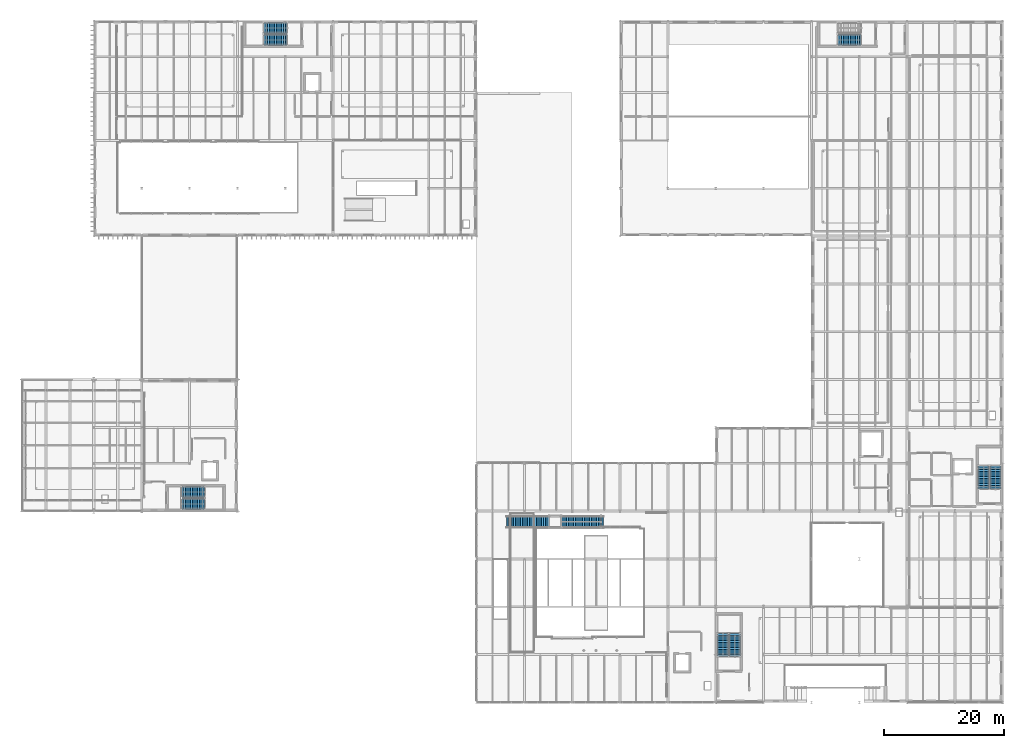
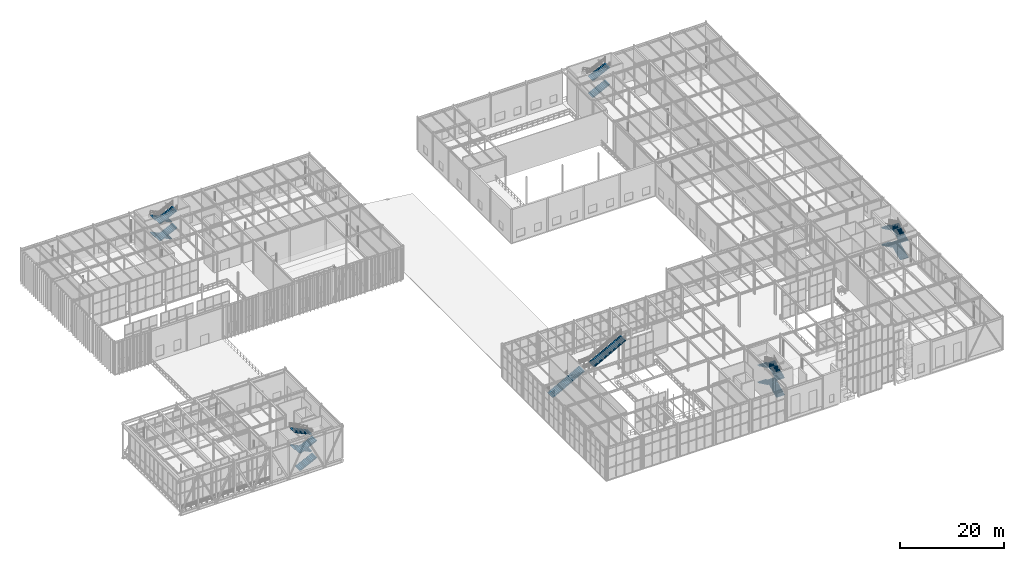
# One storey, part 100 of 138: 20 stair flights, 6 elements without a shape of their own.
"""IFC4 building model written with IfcOpenShell, lengths in metres."""

from ifc_helpers import new_model, si_unit, direction, frame, origin, place, context, subcontext, project, spatial, polyline, outline, extrude, material, type_object, element, aggregate, save


model = new_model("IFC4")

# Units and contexts
model_context = context("Model", 3, precision=1e-05, world=origin(), true_north=direction((0.0, 1.0)))
body_context = subcontext(model_context, "Body", "Model", "MODEL_VIEW")
ifc_project = project(units=[si_unit("LENGTHUNIT", "METRE"), si_unit("AREAUNIT", "SQUARE_METRE"), si_unit("VOLUMEUNIT", "CUBIC_METRE"), si_unit("PLANEANGLEUNIT", "RADIAN"), si_unit("MASSUNIT", "GRAM", prefix="KILO")], contexts=[model_context])

# Site, building, storey
site_placement = place(None, origin())
site = spatial("IfcSite", under=ifc_project, at=site_placement, CompositionType="ELEMENT")
building_placement = place(site_placement, origin())
building = spatial("IfcBuilding", under=site, at=building_placement, Name="Sundkrona Museum", CompositionType="ELEMENT")
storey_placement = place(building_placement, frame((0.0, 0.0, 9.60009765625)))
storey = spatial("IfcBuildingStorey", under=building, at=storey_placement, Name="L02", CompositionType="ELEMENT", Elevation=9.60009765625)

# Stair, stair flights
ifc_material_1 = material(Name="Concrete C35/45", Category="concrete")
stair_type_1 = type_object("IfcStairType", Name="ST-DL-800", PredefinedType="HALF_TURN_STAIR", material=ifc_material_1)
stair_1_placement = place(storey_placement, origin())
stair_1 = element("IfcStair", 1, at=stair_1_placement, inside=storey, type_object=stair_type_1, Name="L02 Protected Stair Core ST-1", PredefinedType="HALF_TURN_STAIR")
stair_flight_type_1 = type_object("IfcStairFlightType", Name="SF-180-200", PredefinedType="STRAIGHT", material=ifc_material_1)
stair_flight_1_placement = place(storey_placement, frame((166.800048828125, 35.699951171875, 0.0), z_axis=(0.0, 0.0, 1.0), x_axis=(0.0, 1.0, 0.0)))
stair_flight_1 = element("IfcStairFlight", 2, at=stair_flight_1_placement, type_object=stair_flight_type_1, Name="L02 Protected Stair Core ST-1 Flight 1", NumberOfRisers=14, NumberOfTreads=13, PredefinedType="STRAIGHT", RiserHeight=0.142857143, TreadLength=0.295, context=body_context, shape_type="SweptSolid", body=[
    extrude(outline(polyline([(0.0, 0.0), (0.0, 0.142822265625), (0.294921875, 0.142822265625), (0.294921875, 0.28564453125), (0.590087890625, 0.28564453125), (0.590087890625, 0.428466796875), (0.885009765625, 0.428466796875), (0.885009765625, 0.571533203125), (1.179931640625, 0.571533203125), (1.179931640625, 0.71435546875), (1.47509765625, 0.71435546875), (1.47509765625, 0.857177734375), (1.77001953125, 0.857177734375), (1.77001953125, 1.0), (2.06494140625, 1.0), (2.06494140625, 1.142822265625), (2.360107421875, 1.142822265625), (2.360107421875, 1.28564453125), (2.655029296875, 1.28564453125), (2.655029296875, 1.428466796875), (2.949951171875, 1.428466796875), (2.949951171875, 1.571533203125), (3.2451171875, 1.571533203125), (3.2451171875, 1.71435546875), (3.5400390625, 1.71435546875), (3.5400390625, 1.857177734375), (3.8349609375, 1.857177734375), (3.8349609375, 2.0), (3.8349609375, 1.679443359375), (0.366943359375, 0.0), (0.0, 0.0)])), frame((0.0, 0.89990234375, 0.0), z_axis=(0.0, -1.0, 0.0), x_axis=(1.0, 0.0, 0.0)), (0.0, 0.0, 1.0), 1.800048828125),
])
stair_flight_2_placement = place(storey_placement, frame((164.800048828125, 39.534912109375, 2.0), z_axis=(0.0, 0.0, 1.0), x_axis=(0.0, -1.0, 0.0)))
stair_flight_2 = element("IfcStairFlight", 3, at=stair_flight_2_placement, type_object=stair_flight_type_1, Name="L02 Protected Stair Core ST-1 Flight 2", NumberOfRisers=14, NumberOfTreads=13, PredefinedType="STRAIGHT", RiserHeight=0.142857143, TreadLength=0.295, context=body_context, shape_type="SweptSolid", body=[
    extrude(outline(polyline([(0.0, 0.0), (0.0, 0.142822265625), (0.294921875, 0.142822265625), (0.294921875, 0.28564453125), (0.590087890625, 0.28564453125), (0.590087890625, 0.428466796875), (0.885009765625, 0.428466796875), (0.885009765625, 0.571533203125), (1.179931640625, 0.571533203125), (1.179931640625, 0.71435546875), (1.47509765625, 0.71435546875), (1.47509765625, 0.857177734375), (1.77001953125, 0.857177734375), (1.77001953125, 1.0), (2.06494140625, 1.0), (2.06494140625, 1.142822265625), (2.360107421875, 1.142822265625), (2.360107421875, 1.28564453125), (2.655029296875, 1.28564453125), (2.655029296875, 1.428466796875), (2.949951171875, 1.428466796875), (2.949951171875, 1.571533203125), (3.2451171875, 1.571533203125), (3.2451171875, 1.71435546875), (3.5400390625, 1.71435546875), (3.5400390625, 1.857177734375), (3.8349609375, 1.857177734375), (3.8349609375, 2.0), (3.8349609375, 1.679443359375), (0.366943359375, 0.0), (0.0, 0.0)])), frame((0.0, 0.89990234375, 0.0), z_axis=(0.0, -1.0, 0.0), x_axis=(1.0, 0.0, 0.0)), (0.0, 0.0, 1.0), 1.800048828125),
])
stair_flight_3_placement = place(storey_placement, frame((166.800048828125, 35.699951171875, 4.0), z_axis=(0.0, 0.0, 1.0), x_axis=(0.0, 1.0, 0.0)))
stair_flight_3 = element("IfcStairFlight", 4, at=stair_flight_3_placement, type_object=stair_flight_type_1, Name="L02 Protected Stair Core ST-1 Flight 3", NumberOfRisers=14, NumberOfTreads=13, PredefinedType="STRAIGHT", RiserHeight=0.142857143, TreadLength=0.295, context=body_context, shape_type="SweptSolid", body=[
    extrude(outline(polyline([(0.0, 0.0), (0.0, 0.142822265625), (0.294921875, 0.142822265625), (0.294921875, 0.28564453125), (0.590087890625, 0.28564453125), (0.590087890625, 0.428466796875), (0.885009765625, 0.428466796875), (0.885009765625, 0.571533203125), (1.179931640625, 0.571533203125), (1.179931640625, 0.71435546875), (1.47509765625, 0.71435546875), (1.47509765625, 0.857177734375), (1.77001953125, 0.857177734375), (1.77001953125, 1.0), (2.06494140625, 1.0), (2.06494140625, 1.142822265625), (2.360107421875, 1.142822265625), (2.360107421875, 1.28564453125), (2.655029296875, 1.28564453125), (2.655029296875, 1.428466796875), (2.949951171875, 1.428466796875), (2.949951171875, 1.571533203125), (3.2451171875, 1.571533203125), (3.2451171875, 1.71435546875), (3.5400390625, 1.71435546875), (3.5400390625, 1.857177734375), (3.8349609375, 1.857177734375), (3.8349609375, 2.0), (3.8349609375, 1.679443359375), (0.366943359375, 0.0), (0.0, 0.0)])), frame((0.0, 0.89990234375, 0.0), z_axis=(0.0, -1.0, 0.0), x_axis=(1.0, 0.0, 0.0)), (0.0, 0.0, 1.0), 1.800048828125),
])
stair_flight_4_placement = place(storey_placement, frame((164.800048828125, 39.534912109375, 6.0), z_axis=(0.0, 0.0, 1.0), x_axis=(0.0, -1.0, 0.0)))
stair_flight_4 = element("IfcStairFlight", 5, at=stair_flight_4_placement, type_object=stair_flight_type_1, Name="L02 Protected Stair Core ST-1 Flight 4", NumberOfRisers=14, NumberOfTreads=13, PredefinedType="STRAIGHT", RiserHeight=0.142857143, TreadLength=0.295, context=body_context, shape_type="SweptSolid", body=[
    extrude(outline(polyline([(0.0, 0.0), (0.0, 0.142822265625), (0.294921875, 0.142822265625), (0.294921875, 0.28564453125), (0.590087890625, 0.28564453125), (0.590087890625, 0.428466796875), (0.885009765625, 0.428466796875), (0.885009765625, 0.571533203125), (1.179931640625, 0.571533203125), (1.179931640625, 0.71435546875), (1.47509765625, 0.71435546875), (1.47509765625, 0.857177734375), (1.77001953125, 0.857177734375), (1.77001953125, 1.0), (2.06494140625, 1.0), (2.06494140625, 1.142822265625), (2.360107421875, 1.142822265625), (2.360107421875, 1.28564453125), (2.655029296875, 1.28564453125), (2.655029296875, 1.428466796875), (2.949951171875, 1.428466796875), (2.949951171875, 1.571533203125), (3.2451171875, 1.571533203125), (3.2451171875, 1.71435546875), (3.5400390625, 1.71435546875), (3.5400390625, 1.857177734375), (3.8349609375, 1.857177734375), (3.8349609375, 2.0), (3.8349609375, 1.679443359375), (0.366943359375, 0.0), (0.0, 0.0)])), frame((0.0, 0.89990234375, 0.0), z_axis=(0.0, -1.0, 0.0), x_axis=(1.0, 0.0, 0.0)), (0.0, 0.0, 1.0), 1.800048828125),
])
aggregate(stair_1, [stair_flight_1, stair_flight_2, stair_flight_3, stair_flight_4])

stair_2_placement = place(storey_placement, origin())
stair_2 = element("IfcStair", 6, at=stair_2_placement, inside=storey, type_object=stair_type_1, Name="L02 Protected Stair Core ST-2", PredefinedType="HALF_TURN_STAIR")
stair_flight_5_placement = place(storey_placement, frame((123.199951171875, 7.699951171875, 0.0), z_axis=(0.0, 0.0, 1.0), x_axis=(0.0, 1.0, 0.0)))
stair_flight_5 = element("IfcStairFlight", 7, at=stair_flight_5_placement, type_object=stair_flight_type_1, Name="L02 Protected Stair Core ST-2 Flight 1", NumberOfRisers=14, NumberOfTreads=13, PredefinedType="STRAIGHT", RiserHeight=0.142857143, TreadLength=0.295, context=body_context, shape_type="SweptSolid", body=[
    extrude(outline(polyline([(0.0, 0.0), (0.0, 0.142822265625), (0.294921875, 0.142822265625), (0.294921875, 0.28564453125), (0.590087890625, 0.28564453125), (0.590087890625, 0.428466796875), (0.885009765625, 0.428466796875), (0.885009765625, 0.571533203125), (1.179931640625, 0.571533203125), (1.179931640625, 0.71435546875), (1.47509765625, 0.71435546875), (1.47509765625, 0.857177734375), (1.77001953125, 0.857177734375), (1.77001953125, 1.0), (2.06494140625, 1.0), (2.06494140625, 1.142822265625), (2.360107421875, 1.142822265625), (2.360107421875, 1.28564453125), (2.655029296875, 1.28564453125), (2.655029296875, 1.428466796875), (2.949951171875, 1.428466796875), (2.949951171875, 1.571533203125), (3.2451171875, 1.571533203125), (3.2451171875, 1.71435546875), (3.5400390625, 1.71435546875), (3.5400390625, 1.857177734375), (3.8349609375, 1.857177734375), (3.8349609375, 2.0), (3.8349609375, 1.679443359375), (0.366943359375, 0.0), (0.0, 0.0)])), frame((0.0, 0.89990234375, 0.0), z_axis=(0.0, -1.0, 0.0), x_axis=(1.0, 0.0, 0.0)), (0.0, 0.0, 1.0), 1.800048828125),
])
stair_flight_6_placement = place(storey_placement, frame((121.199951171875, 11.534912109375, 2.0), z_axis=(0.0, 0.0, 1.0), x_axis=(0.0, -1.0, 0.0)))
stair_flight_6 = element("IfcStairFlight", 8, at=stair_flight_6_placement, type_object=stair_flight_type_1, Name="L02 Protected Stair Core ST-2 Flight 2", NumberOfRisers=14, NumberOfTreads=13, PredefinedType="STRAIGHT", RiserHeight=0.142857143, TreadLength=0.295, context=body_context, shape_type="SweptSolid", body=[
    extrude(outline(polyline([(0.0, 0.0), (0.0, 0.142822265625), (0.294921875, 0.142822265625), (0.294921875, 0.28564453125), (0.590087890625, 0.28564453125), (0.590087890625, 0.428466796875), (0.885009765625, 0.428466796875), (0.885009765625, 0.571533203125), (1.179931640625, 0.571533203125), (1.179931640625, 0.71435546875), (1.47509765625, 0.71435546875), (1.47509765625, 0.857177734375), (1.77001953125, 0.857177734375), (1.77001953125, 1.0), (2.06494140625, 1.0), (2.06494140625, 1.142822265625), (2.360107421875, 1.142822265625), (2.360107421875, 1.28564453125), (2.655029296875, 1.28564453125), (2.655029296875, 1.428466796875), (2.949951171875, 1.428466796875), (2.949951171875, 1.571533203125), (3.2451171875, 1.571533203125), (3.2451171875, 1.71435546875), (3.5400390625, 1.71435546875), (3.5400390625, 1.857177734375), (3.8349609375, 1.857177734375), (3.8349609375, 2.0), (3.8349609375, 1.679443359375), (0.366943359375, 0.0), (0.0, 0.0)])), frame((0.0, 0.89990234375, 0.0), z_axis=(0.0, -1.0, 0.0), x_axis=(1.0, 0.0, 0.0)), (0.0, 0.0, 1.0), 1.800048828125),
])
stair_flight_7_placement = place(storey_placement, frame((123.199951171875, 7.699951171875, 4.0), z_axis=(0.0, 0.0, 1.0), x_axis=(0.0, 1.0, 0.0)))
stair_flight_7 = element("IfcStairFlight", 9, at=stair_flight_7_placement, type_object=stair_flight_type_1, Name="L02 Protected Stair Core ST-2 Flight 3", NumberOfRisers=14, NumberOfTreads=13, PredefinedType="STRAIGHT", RiserHeight=0.142857143, TreadLength=0.295, context=body_context, shape_type="SweptSolid", body=[
    extrude(outline(polyline([(0.0, 0.0), (0.0, 0.142822265625), (0.294921875, 0.142822265625), (0.294921875, 0.28564453125), (0.590087890625, 0.28564453125), (0.590087890625, 0.428466796875), (0.885009765625, 0.428466796875), (0.885009765625, 0.571533203125), (1.179931640625, 0.571533203125), (1.179931640625, 0.71435546875), (1.47509765625, 0.71435546875), (1.47509765625, 0.857177734375), (1.77001953125, 0.857177734375), (1.77001953125, 1.0), (2.06494140625, 1.0), (2.06494140625, 1.142822265625), (2.360107421875, 1.142822265625), (2.360107421875, 1.28564453125), (2.655029296875, 1.28564453125), (2.655029296875, 1.428466796875), (2.949951171875, 1.428466796875), (2.949951171875, 1.571533203125), (3.2451171875, 1.571533203125), (3.2451171875, 1.71435546875), (3.5400390625, 1.71435546875), (3.5400390625, 1.857177734375), (3.8349609375, 1.857177734375), (3.8349609375, 2.0), (3.8349609375, 1.679443359375), (0.366943359375, 0.0), (0.0, 0.0)])), frame((0.0, 0.89990234375, 0.0), z_axis=(0.0, -1.0, 0.0), x_axis=(1.0, 0.0, 0.0)), (0.0, 0.0, 1.0), 1.800048828125),
])
stair_flight_8_placement = place(storey_placement, frame((121.199951171875, 11.534912109375, 6.0), z_axis=(0.0, 0.0, 1.0), x_axis=(0.0, -1.0, 0.0)))
stair_flight_8 = element("IfcStairFlight", 10, at=stair_flight_8_placement, type_object=stair_flight_type_1, Name="L02 Protected Stair Core ST-2 Flight 4", NumberOfRisers=14, NumberOfTreads=13, PredefinedType="STRAIGHT", RiserHeight=0.142857143, TreadLength=0.295, context=body_context, shape_type="SweptSolid", body=[
    extrude(outline(polyline([(0.0, 0.0), (0.0, 0.142822265625), (0.294921875, 0.142822265625), (0.294921875, 0.28564453125), (0.590087890625, 0.28564453125), (0.590087890625, 0.428466796875), (0.885009765625, 0.428466796875), (0.885009765625, 0.571533203125), (1.179931640625, 0.571533203125), (1.179931640625, 0.71435546875), (1.47509765625, 0.71435546875), (1.47509765625, 0.857177734375), (1.77001953125, 0.857177734375), (1.77001953125, 1.0), (2.06494140625, 1.0), (2.06494140625, 1.142822265625), (2.360107421875, 1.142822265625), (2.360107421875, 1.28564453125), (2.655029296875, 1.28564453125), (2.655029296875, 1.428466796875), (2.949951171875, 1.428466796875), (2.949951171875, 1.571533203125), (3.2451171875, 1.571533203125), (3.2451171875, 1.71435546875), (3.5400390625, 1.71435546875), (3.5400390625, 1.857177734375), (3.8349609375, 1.857177734375), (3.8349609375, 2.0), (3.8349609375, 1.679443359375), (0.366943359375, 0.0), (0.0, 0.0)])), frame((0.0, 0.89990234375, 0.0), z_axis=(0.0, -1.0, 0.0), x_axis=(1.0, 0.0, 0.0)), (0.0, 0.0, 1.0), 1.800048828125),
])
aggregate(stair_2, [stair_flight_5, stair_flight_6, stair_flight_7, stair_flight_8])

stair_3_placement = place(storey_placement, origin())
stair_3 = element("IfcStair", 11, at=stair_3_placement, inside=storey, type_object=stair_type_1, Name="L02 Protected Stair Core ST-3", PredefinedType="HALF_TURN_STAIR")
stair_flight_9_placement = place(storey_placement, frame((48.300048828125, 112.800048828125, 0.0), z_axis=(0.0, 0.0, 1.0), x_axis=(-1.0, 0.0, 0.0)))
stair_flight_9 = element("IfcStairFlight", 12, at=stair_flight_9_placement, type_object=stair_flight_type_1, Name="L02 Protected Stair Core ST-3 Flight 1", NumberOfRisers=14, NumberOfTreads=13, PredefinedType="STRAIGHT", RiserHeight=0.142857143, TreadLength=0.295, context=body_context, shape_type="SweptSolid", body=[
    extrude(outline(polyline([(0.0, 0.0), (0.0, 0.142822265625), (0.294921875, 0.142822265625), (0.294921875, 0.28564453125), (0.590087890625, 0.28564453125), (0.590087890625, 0.428466796875), (0.885009765625, 0.428466796875), (0.885009765625, 0.571533203125), (1.179931640625, 0.571533203125), (1.179931640625, 0.71435546875), (1.47509765625, 0.71435546875), (1.47509765625, 0.857177734375), (1.77001953125, 0.857177734375), (1.77001953125, 1.0), (2.06494140625, 1.0), (2.06494140625, 1.142822265625), (2.360107421875, 1.142822265625), (2.360107421875, 1.28564453125), (2.655029296875, 1.28564453125), (2.655029296875, 1.428466796875), (2.949951171875, 1.428466796875), (2.949951171875, 1.571533203125), (3.2451171875, 1.571533203125), (3.2451171875, 1.71435546875), (3.5400390625, 1.71435546875), (3.5400390625, 1.857177734375), (3.8349609375, 1.857177734375), (3.8349609375, 2.0), (3.8349609375, 1.679443359375), (0.366943359375, 0.0), (0.0, 0.0)])), frame((0.0, 0.89990234375, 0.0), z_axis=(0.0, -1.0, 0.0), x_axis=(1.0, 0.0, 0.0)), (0.0, 0.0, 1.0), 1.800048828125),
])
stair_flight_10_placement = place(storey_placement, frame((44.465087890625, 110.800048828125, 2.0), z_axis=(0.0, 0.0, 1.0), x_axis=(1.0, 0.0, 0.0)))
stair_flight_10 = element("IfcStairFlight", 13, at=stair_flight_10_placement, type_object=stair_flight_type_1, Name="L02 Protected Stair Core ST-3 Flight 2", NumberOfRisers=14, NumberOfTreads=13, PredefinedType="STRAIGHT", RiserHeight=0.142857143, TreadLength=0.295, context=body_context, shape_type="SweptSolid", body=[
    extrude(outline(polyline([(0.0, 0.0), (0.0, 0.142822265625), (0.294921875, 0.142822265625), (0.294921875, 0.28564453125), (0.590087890625, 0.28564453125), (0.590087890625, 0.428466796875), (0.885009765625, 0.428466796875), (0.885009765625, 0.571533203125), (1.179931640625, 0.571533203125), (1.179931640625, 0.71435546875), (1.47509765625, 0.71435546875), (1.47509765625, 0.857177734375), (1.77001953125, 0.857177734375), (1.77001953125, 1.0), (2.06494140625, 1.0), (2.06494140625, 1.142822265625), (2.360107421875, 1.142822265625), (2.360107421875, 1.28564453125), (2.655029296875, 1.28564453125), (2.655029296875, 1.428466796875), (2.949951171875, 1.428466796875), (2.949951171875, 1.571533203125), (3.2451171875, 1.571533203125), (3.2451171875, 1.71435546875), (3.5400390625, 1.71435546875), (3.5400390625, 1.857177734375), (3.8349609375, 1.857177734375), (3.8349609375, 2.0), (3.8349609375, 1.679443359375), (0.366943359375, 0.0), (0.0, 0.0)])), frame((0.0, 0.89990234375, 0.0), z_axis=(0.0, -1.0, 0.0), x_axis=(1.0, 0.0, 0.0)), (0.0, 0.0, 1.0), 1.800048828125),
])
stair_flight_11_placement = place(storey_placement, frame((48.300048828125, 112.800048828125, 4.0), z_axis=(0.0, 0.0, 1.0), x_axis=(-1.0, 0.0, 0.0)))
stair_flight_11 = element("IfcStairFlight", 14, at=stair_flight_11_placement, type_object=stair_flight_type_1, Name="L02 Protected Stair Core ST-3 Flight 3", NumberOfRisers=14, NumberOfTreads=13, PredefinedType="STRAIGHT", RiserHeight=0.142857143, TreadLength=0.295, context=body_context, shape_type="SweptSolid", body=[
    extrude(outline(polyline([(0.0, 0.0), (0.0, 0.142822265625), (0.294921875, 0.142822265625), (0.294921875, 0.28564453125), (0.590087890625, 0.28564453125), (0.590087890625, 0.428466796875), (0.885009765625, 0.428466796875), (0.885009765625, 0.571533203125), (1.179931640625, 0.571533203125), (1.179931640625, 0.71435546875), (1.47509765625, 0.71435546875), (1.47509765625, 0.857177734375), (1.77001953125, 0.857177734375), (1.77001953125, 1.0), (2.06494140625, 1.0), (2.06494140625, 1.142822265625), (2.360107421875, 1.142822265625), (2.360107421875, 1.28564453125), (2.655029296875, 1.28564453125), (2.655029296875, 1.428466796875), (2.949951171875, 1.428466796875), (2.949951171875, 1.571533203125), (3.2451171875, 1.571533203125), (3.2451171875, 1.71435546875), (3.5400390625, 1.71435546875), (3.5400390625, 1.857177734375), (3.8349609375, 1.857177734375), (3.8349609375, 2.0), (3.8349609375, 1.679443359375), (0.366943359375, 0.0), (0.0, 0.0)])), frame((0.0, 0.89990234375, 0.0), z_axis=(0.0, -1.0, 0.0), x_axis=(1.0, 0.0, 0.0)), (0.0, 0.0, 1.0), 1.800048828125),
])
stair_flight_12_placement = place(storey_placement, frame((44.465087890625, 110.800048828125, 6.0), z_axis=(0.0, 0.0, 1.0), x_axis=(1.0, 0.0, 0.0)))
stair_flight_12 = element("IfcStairFlight", 15, at=stair_flight_12_placement, type_object=stair_flight_type_1, Name="L02 Protected Stair Core ST-3 Flight 4", NumberOfRisers=14, NumberOfTreads=13, PredefinedType="STRAIGHT", RiserHeight=0.142857143, TreadLength=0.295, context=body_context, shape_type="SweptSolid", body=[
    extrude(outline(polyline([(0.0, 0.0), (0.0, 0.142822265625), (0.294921875, 0.142822265625), (0.294921875, 0.28564453125), (0.590087890625, 0.28564453125), (0.590087890625, 0.428466796875), (0.885009765625, 0.428466796875), (0.885009765625, 0.571533203125), (1.179931640625, 0.571533203125), (1.179931640625, 0.71435546875), (1.47509765625, 0.71435546875), (1.47509765625, 0.857177734375), (1.77001953125, 0.857177734375), (1.77001953125, 1.0), (2.06494140625, 1.0), (2.06494140625, 1.142822265625), (2.360107421875, 1.142822265625), (2.360107421875, 1.28564453125), (2.655029296875, 1.28564453125), (2.655029296875, 1.428466796875), (2.949951171875, 1.428466796875), (2.949951171875, 1.571533203125), (3.2451171875, 1.571533203125), (3.2451171875, 1.71435546875), (3.5400390625, 1.71435546875), (3.5400390625, 1.857177734375), (3.8349609375, 1.857177734375), (3.8349609375, 2.0), (3.8349609375, 1.679443359375), (0.366943359375, 0.0), (0.0, 0.0)])), frame((0.0, 0.89990234375, 0.0), z_axis=(0.0, -1.0, 0.0), x_axis=(1.0, 0.0, 0.0)), (0.0, 0.0, 1.0), 1.800048828125),
])
aggregate(stair_3, [stair_flight_9, stair_flight_10, stair_flight_11, stair_flight_12])

stair_4_placement = place(storey_placement, origin())
stair_4 = element("IfcStair", 16, at=stair_4_placement, inside=storey, type_object=stair_type_1, Name="L02 Protected Stair Core ST-4", PredefinedType="HALF_TURN_STAIR")
stair_flight_13_placement = place(storey_placement, frame((30.699951171875, 33.199951171875, 0.0), z_axis=(0.0, 0.0, 1.0), x_axis=(1.0, 0.0, 0.0)))
stair_flight_13 = element("IfcStairFlight", 17, at=stair_flight_13_placement, type_object=stair_flight_type_1, Name="L02 Protected Stair Core ST-4 Flight 1", NumberOfRisers=14, NumberOfTreads=13, PredefinedType="STRAIGHT", RiserHeight=0.142857143, TreadLength=0.295, context=body_context, shape_type="SweptSolid", body=[
    extrude(outline(polyline([(0.0, 0.0), (0.0, 0.142822265625), (0.294921875, 0.142822265625), (0.294921875, 0.28564453125), (0.590087890625, 0.28564453125), (0.590087890625, 0.428466796875), (0.885009765625, 0.428466796875), (0.885009765625, 0.571533203125), (1.179931640625, 0.571533203125), (1.179931640625, 0.71435546875), (1.47509765625, 0.71435546875), (1.47509765625, 0.857177734375), (1.77001953125, 0.857177734375), (1.77001953125, 1.0), (2.06494140625, 1.0), (2.06494140625, 1.142822265625), (2.360107421875, 1.142822265625), (2.360107421875, 1.28564453125), (2.655029296875, 1.28564453125), (2.655029296875, 1.428466796875), (2.949951171875, 1.428466796875), (2.949951171875, 1.571533203125), (3.2451171875, 1.571533203125), (3.2451171875, 1.71435546875), (3.5400390625, 1.71435546875), (3.5400390625, 1.857177734375), (3.8349609375, 1.857177734375), (3.8349609375, 2.0), (3.8349609375, 1.679443359375), (0.366943359375, 0.0), (0.0, 0.0)])), frame((0.0, 0.89990234375, 0.0), z_axis=(0.0, -1.0, 0.0), x_axis=(1.0, 0.0, 0.0)), (0.0, 0.0, 1.0), 1.800048828125),
])
stair_flight_14_placement = place(storey_placement, frame((34.534912109375, 35.199951171875, 2.0), z_axis=(0.0, 0.0, 1.0), x_axis=(-1.0, 0.0, 0.0)))
stair_flight_14 = element("IfcStairFlight", 18, at=stair_flight_14_placement, type_object=stair_flight_type_1, Name="L02 Protected Stair Core ST-4 Flight 2", NumberOfRisers=14, NumberOfTreads=13, PredefinedType="STRAIGHT", RiserHeight=0.142857143, TreadLength=0.295, context=body_context, shape_type="SweptSolid", body=[
    extrude(outline(polyline([(0.0, 0.0), (0.0, 0.142822265625), (0.294921875, 0.142822265625), (0.294921875, 0.28564453125), (0.590087890625, 0.28564453125), (0.590087890625, 0.428466796875), (0.885009765625, 0.428466796875), (0.885009765625, 0.571533203125), (1.179931640625, 0.571533203125), (1.179931640625, 0.71435546875), (1.47509765625, 0.71435546875), (1.47509765625, 0.857177734375), (1.77001953125, 0.857177734375), (1.77001953125, 1.0), (2.06494140625, 1.0), (2.06494140625, 1.142822265625), (2.360107421875, 1.142822265625), (2.360107421875, 1.28564453125), (2.655029296875, 1.28564453125), (2.655029296875, 1.428466796875), (2.949951171875, 1.428466796875), (2.949951171875, 1.571533203125), (3.2451171875, 1.571533203125), (3.2451171875, 1.71435546875), (3.5400390625, 1.71435546875), (3.5400390625, 1.857177734375), (3.8349609375, 1.857177734375), (3.8349609375, 2.0), (3.8349609375, 1.679443359375), (0.366943359375, 0.0), (0.0, 0.0)])), frame((0.0, 0.89990234375, 0.0), z_axis=(0.0, -1.0, 0.0), x_axis=(1.0, 0.0, 0.0)), (0.0, 0.0, 1.0), 1.800048828125),
])
stair_flight_15_placement = place(storey_placement, frame((30.699951171875, 33.199951171875, 4.0), z_axis=(0.0, 0.0, 1.0), x_axis=(1.0, 0.0, 0.0)))
stair_flight_15 = element("IfcStairFlight", 19, at=stair_flight_15_placement, type_object=stair_flight_type_1, Name="L02 Protected Stair Core ST-4 Flight 3", NumberOfRisers=14, NumberOfTreads=13, PredefinedType="STRAIGHT", RiserHeight=0.142857143, TreadLength=0.295, context=body_context, shape_type="SweptSolid", body=[
    extrude(outline(polyline([(0.0, 0.0), (0.0, 0.142822265625), (0.294921875, 0.142822265625), (0.294921875, 0.28564453125), (0.590087890625, 0.28564453125), (0.590087890625, 0.428466796875), (0.885009765625, 0.428466796875), (0.885009765625, 0.571533203125), (1.179931640625, 0.571533203125), (1.179931640625, 0.71435546875), (1.47509765625, 0.71435546875), (1.47509765625, 0.857177734375), (1.77001953125, 0.857177734375), (1.77001953125, 1.0), (2.06494140625, 1.0), (2.06494140625, 1.142822265625), (2.360107421875, 1.142822265625), (2.360107421875, 1.28564453125), (2.655029296875, 1.28564453125), (2.655029296875, 1.428466796875), (2.949951171875, 1.428466796875), (2.949951171875, 1.571533203125), (3.2451171875, 1.571533203125), (3.2451171875, 1.71435546875), (3.5400390625, 1.71435546875), (3.5400390625, 1.857177734375), (3.8349609375, 1.857177734375), (3.8349609375, 2.0), (3.8349609375, 1.679443359375), (0.366943359375, 0.0), (0.0, 0.0)])), frame((0.0, 0.89990234375, 0.0), z_axis=(0.0, -1.0, 0.0), x_axis=(1.0, 0.0, 0.0)), (0.0, 0.0, 1.0), 1.800048828125),
])
stair_flight_16_placement = place(storey_placement, frame((34.534912109375, 35.199951171875, 6.0), z_axis=(0.0, 0.0, 1.0), x_axis=(-1.0, 0.0, 0.0)))
stair_flight_16 = element("IfcStairFlight", 20, at=stair_flight_16_placement, type_object=stair_flight_type_1, Name="L02 Protected Stair Core ST-4 Flight 4", NumberOfRisers=14, NumberOfTreads=13, PredefinedType="STRAIGHT", RiserHeight=0.142857143, TreadLength=0.295, context=body_context, shape_type="SweptSolid", body=[
    extrude(outline(polyline([(0.0, 0.0), (0.0, 0.142822265625), (0.294921875, 0.142822265625), (0.294921875, 0.28564453125), (0.590087890625, 0.28564453125), (0.590087890625, 0.428466796875), (0.885009765625, 0.428466796875), (0.885009765625, 0.571533203125), (1.179931640625, 0.571533203125), (1.179931640625, 0.71435546875), (1.47509765625, 0.71435546875), (1.47509765625, 0.857177734375), (1.77001953125, 0.857177734375), (1.77001953125, 1.0), (2.06494140625, 1.0), (2.06494140625, 1.142822265625), (2.360107421875, 1.142822265625), (2.360107421875, 1.28564453125), (2.655029296875, 1.28564453125), (2.655029296875, 1.428466796875), (2.949951171875, 1.428466796875), (2.949951171875, 1.571533203125), (3.2451171875, 1.571533203125), (3.2451171875, 1.71435546875), (3.5400390625, 1.71435546875), (3.5400390625, 1.857177734375), (3.8349609375, 1.857177734375), (3.8349609375, 2.0), (3.8349609375, 1.679443359375), (0.366943359375, 0.0), (0.0, 0.0)])), frame((0.0, 0.89990234375, 0.0), z_axis=(0.0, -1.0, 0.0), x_axis=(1.0, 0.0, 0.0)), (0.0, 0.0, 1.0), 1.800048828125),
])
aggregate(stair_4, [stair_flight_13, stair_flight_14, stair_flight_15, stair_flight_16])

stair_5_placement = place(storey_placement, origin())
stair_5 = element("IfcStair", 21, at=stair_5_placement, inside=storey, type_object=stair_type_1, Name="L02 Protected Stair Core ST-5", PredefinedType="HALF_TURN_STAIR")
stair_flight_17_placement = place(storey_placement, frame((140.465087890625, 110.800048828125, 2.0), z_axis=(0.0, 0.0, 1.0), x_axis=(1.0, 0.0, 0.0)))
stair_flight_17 = element("IfcStairFlight", 22, at=stair_flight_17_placement, type_object=stair_flight_type_1, Name="L02 Protected Stair Core ST-5 Flight 2", NumberOfRisers=14, NumberOfTreads=13, PredefinedType="STRAIGHT", RiserHeight=0.142857143, TreadLength=0.295, context=body_context, shape_type="SweptSolid", body=[
    extrude(outline(polyline([(0.0, 0.0), (0.0, 0.142822265625), (0.294921875, 0.142822265625), (0.294921875, 0.28564453125), (0.590087890625, 0.28564453125), (0.590087890625, 0.428466796875), (0.885009765625, 0.428466796875), (0.885009765625, 0.571533203125), (1.179931640625, 0.571533203125), (1.179931640625, 0.71435546875), (1.47509765625, 0.71435546875), (1.47509765625, 0.857177734375), (1.77001953125, 0.857177734375), (1.77001953125, 1.0), (2.06494140625, 1.0), (2.06494140625, 1.142822265625), (2.360107421875, 1.142822265625), (2.360107421875, 1.28564453125), (2.655029296875, 1.28564453125), (2.655029296875, 1.428466796875), (2.949951171875, 1.428466796875), (2.949951171875, 1.571533203125), (3.2451171875, 1.571533203125), (3.2451171875, 1.71435546875), (3.5400390625, 1.71435546875), (3.5400390625, 1.857177734375), (3.8349609375, 1.857177734375), (3.8349609375, 2.0), (3.8349609375, 1.679443359375), (0.366943359375, 0.0), (0.0, 0.0)])), frame((0.0, 0.89990234375, 0.0), z_axis=(0.0, -1.0, 0.0), x_axis=(1.0, 0.0, 0.0)), (0.0, 0.0, 1.0), 1.800048828125),
])
stair_flight_18_placement = place(storey_placement, frame((140.465087890625, 110.800048828125, 6.0), z_axis=(0.0, 0.0, 1.0), x_axis=(1.0, 0.0, 0.0)))
stair_flight_18 = element("IfcStairFlight", 23, at=stair_flight_18_placement, type_object=stair_flight_type_1, Name="L02 Protected Stair Core ST-5 Flight 4", NumberOfRisers=14, NumberOfTreads=13, PredefinedType="STRAIGHT", RiserHeight=0.142857143, TreadLength=0.295, context=body_context, shape_type="SweptSolid", body=[
    extrude(outline(polyline([(0.0, 0.0), (0.0, 0.142822265625), (0.294921875, 0.142822265625), (0.294921875, 0.28564453125), (0.590087890625, 0.28564453125), (0.590087890625, 0.428466796875), (0.885009765625, 0.428466796875), (0.885009765625, 0.571533203125), (1.179931640625, 0.571533203125), (1.179931640625, 0.71435546875), (1.47509765625, 0.71435546875), (1.47509765625, 0.857177734375), (1.77001953125, 0.857177734375), (1.77001953125, 1.0), (2.06494140625, 1.0), (2.06494140625, 1.142822265625), (2.360107421875, 1.142822265625), (2.360107421875, 1.28564453125), (2.655029296875, 1.28564453125), (2.655029296875, 1.428466796875), (2.949951171875, 1.428466796875), (2.949951171875, 1.571533203125), (3.2451171875, 1.571533203125), (3.2451171875, 1.71435546875), (3.5400390625, 1.71435546875), (3.5400390625, 1.857177734375), (3.8349609375, 1.857177734375), (3.8349609375, 2.0), (3.8349609375, 1.679443359375), (0.366943359375, 0.0), (0.0, 0.0)])), frame((0.0, 0.89990234375, 0.0), z_axis=(0.0, -1.0, 0.0), x_axis=(1.0, 0.0, 0.0)), (0.0, 0.0, 1.0), 1.800048828125),
])
aggregate(stair_5, [stair_flight_17, stair_flight_18])

ifc_material_2 = material(Name="Steel S355J2 and Oak Treads", Category="steel")
stair_type_2 = type_object("IfcStairType", Name="ST-FS-800", PredefinedType="STRAIGHT_RUN_STAIR", material=ifc_material_2)
stair_6_placement = place(storey_placement, origin())
stair_6 = element("IfcStair", 24, at=stair_6_placement, inside=storey, type_object=stair_type_2, Name="L02 Feature Stair FS-3", PredefinedType="STRAIGHT_RUN_STAIR")
ifc_material_3 = material(Name="Steel S355J2 and European Oak", Category="steel")
stair_flight_type_2 = type_object("IfcStairFlightType", Name="SF-195-FS", PredefinedType="STRAIGHT", material=ifc_material_3)
stair_flight_19_placement = place(storey_placement, frame((85.0, 30.199951171875, 0.0), z_axis=(0.0, 0.0, 1.0), x_axis=(1.0, 0.0, 0.0)))
stair_flight_19 = element("IfcStairFlight", 25, at=stair_flight_19_placement, type_object=stair_flight_type_2, Name="L02 Feature Stair FS-3 Flight 1", NumberOfRisers=25, NumberOfTreads=24, PredefinedType="STRAIGHT", RiserHeight=0.16, TreadLength=0.295, context=body_context, shape_type="SweptSolid", body=[
    extrude(outline(polyline([(0.0, 0.0), (0.0, 0.159912109375), (0.294921875, 0.159912109375), (0.294921875, 0.320068359375), (0.590087890625, 0.320068359375), (0.590087890625, 0.47998046875), (0.885009765625, 0.47998046875), (0.885009765625, 0.639892578125), (1.179931640625, 0.639892578125), (1.179931640625, 0.800048828125), (1.47509765625, 0.800048828125), (1.47509765625, 0.9599609375), (1.77001953125, 0.9599609375), (1.77001953125, 1.1201171875), (2.06494140625, 1.1201171875), (2.06494140625, 1.280029296875), (2.360107421875, 1.280029296875), (2.360107421875, 1.43994140625), (2.655029296875, 1.43994140625), (2.655029296875, 1.60009765625), (2.949951171875, 1.60009765625), (2.949951171875, 1.760009765625), (3.2451171875, 1.760009765625), (3.2451171875, 1.919921875), (3.5400390625, 1.919921875), (3.5400390625, 2.080078125), (3.8349609375, 2.080078125), (3.8349609375, 2.239990234375), (4.1298828125, 2.239990234375), (4.1298828125, 2.39990234375), (4.425048828125, 2.39990234375), (4.425048828125, 2.56005859375), (4.719970703125, 2.56005859375), (4.719970703125, 2.719970703125), (5.014892578125, 2.719970703125), (5.014892578125, 2.8798828125), (5.31005859375, 2.8798828125), (5.31005859375, 3.0400390625), (5.60498046875, 3.0400390625), (5.60498046875, 3.199951171875), (5.89990234375, 3.199951171875), (5.89990234375, 3.360107421875), (6.195068359375, 3.360107421875), (6.195068359375, 3.52001953125), (6.489990234375, 3.52001953125), (6.489990234375, 3.679931640625), (6.784912109375, 3.679931640625), (6.784912109375, 3.840087890625), (7.080078125, 3.840087890625), (7.080078125, 4.0), (7.080078125, 3.63525390625), (0.37744140625, 0.0), (0.0, 0.0)])), frame((0.0, 0.97509765625, 0.0), z_axis=(0.0, -1.0, 0.0), x_axis=(1.0, 0.0, 0.0)), (0.0, 0.0, 1.0), 1.949951171875),
])
stair_flight_20_placement = place(storey_placement, frame((94.179931640625, 30.199951171875, 4.0), z_axis=(0.0, 0.0, 1.0), x_axis=(1.0, 0.0, 0.0)))
stair_flight_20 = element("IfcStairFlight", 26, at=stair_flight_20_placement, type_object=stair_flight_type_2, Name="L02 Feature Stair FS-3 Flight 2", NumberOfRisers=25, NumberOfTreads=24, PredefinedType="STRAIGHT", RiserHeight=0.16, TreadLength=0.295, context=body_context, shape_type="SweptSolid", body=[
    extrude(outline(polyline([(0.0, 0.0), (0.0, 0.159912109375), (0.294921875, 0.159912109375), (0.294921875, 0.320068359375), (0.590087890625, 0.320068359375), (0.590087890625, 0.47998046875), (0.885009765625, 0.47998046875), (0.885009765625, 0.639892578125), (1.179931640625, 0.639892578125), (1.179931640625, 0.800048828125), (1.47509765625, 0.800048828125), (1.47509765625, 0.9599609375), (1.77001953125, 0.9599609375), (1.77001953125, 1.1201171875), (2.06494140625, 1.1201171875), (2.06494140625, 1.280029296875), (2.360107421875, 1.280029296875), (2.360107421875, 1.43994140625), (2.655029296875, 1.43994140625), (2.655029296875, 1.60009765625), (2.949951171875, 1.60009765625), (2.949951171875, 1.760009765625), (3.2451171875, 1.760009765625), (3.2451171875, 1.919921875), (3.5400390625, 1.919921875), (3.5400390625, 2.080078125), (3.8349609375, 2.080078125), (3.8349609375, 2.239990234375), (4.1298828125, 2.239990234375), (4.1298828125, 2.39990234375), (4.425048828125, 2.39990234375), (4.425048828125, 2.56005859375), (4.719970703125, 2.56005859375), (4.719970703125, 2.719970703125), (5.014892578125, 2.719970703125), (5.014892578125, 2.8798828125), (5.31005859375, 2.8798828125), (5.31005859375, 3.0400390625), (5.60498046875, 3.0400390625), (5.60498046875, 3.199951171875), (5.89990234375, 3.199951171875), (5.89990234375, 3.360107421875), (6.195068359375, 3.360107421875), (6.195068359375, 3.52001953125), (6.489990234375, 3.52001953125), (6.489990234375, 3.679931640625), (6.784912109375, 3.679931640625), (6.784912109375, 3.840087890625), (7.080078125, 3.840087890625), (7.080078125, 4.0), (7.080078125, 3.63525390625), (0.37744140625, 0.0), (0.0, 0.0)])), frame((0.0, 0.97509765625, 0.0), z_axis=(0.0, -1.0, 0.0), x_axis=(1.0, 0.0, 0.0)), (0.0, 0.0, 1.0), 1.949951171875),
])
aggregate(stair_6, [stair_flight_19, stair_flight_20])

save(model, "model.ifc")
